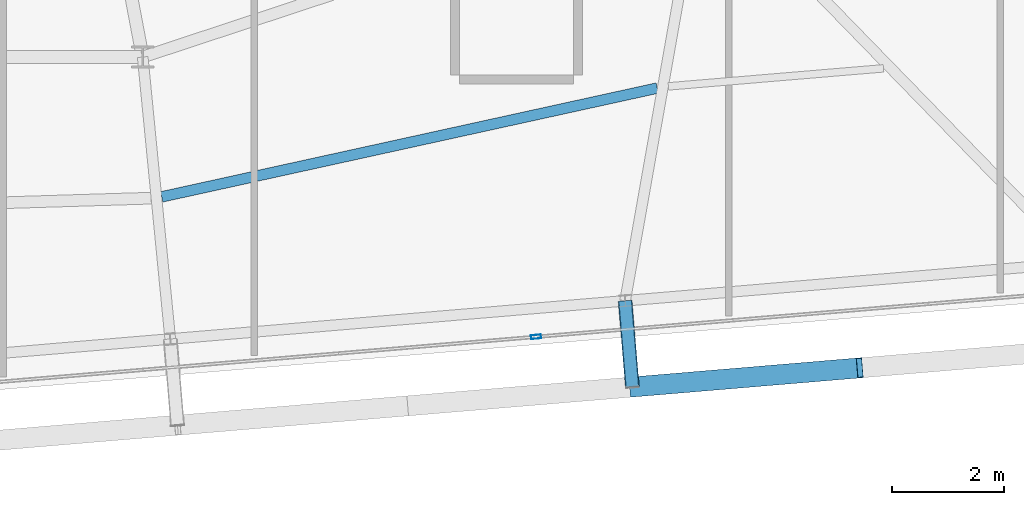
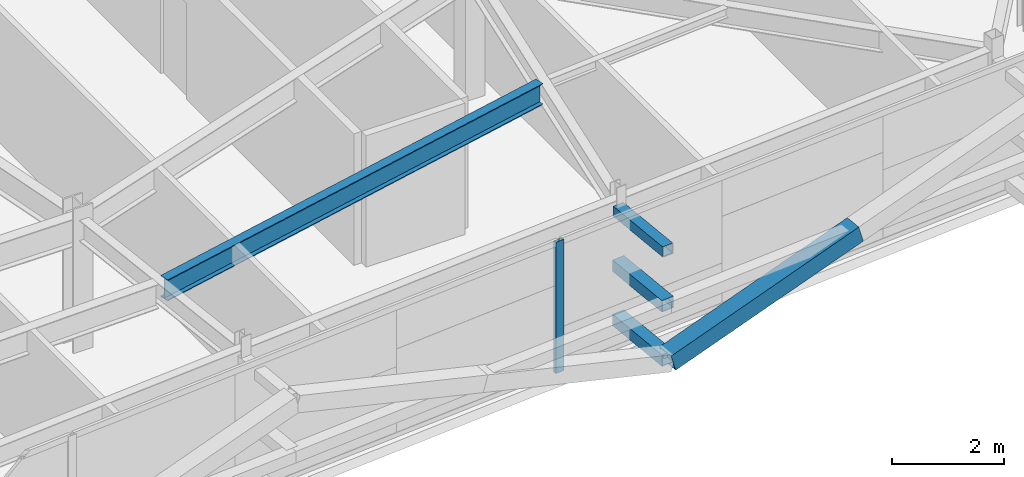
# One storey, part 16 of 39: 5 members, 1 beam, 1 element without a shape of its own.
"""IFC4 building model written with IfcOpenShell, lengths in metres."""

from ifc_helpers import new_model, si_unit, direction, frame, origin, origin_2d, place, context, subcontext, project, spatial, hollow_rectangle, i_section, extrude, source, transform, mapped, material, layer, layer_set, material_profile, profile_set, type_object, element, aggregate, save


model = new_model("IFC4")

# Units and contexts
model_context = context("Model", 3, precision=1e-05, world=origin(), true_north=direction((0.0, 1.0)))
body_context = subcontext(model_context, "Body", "Model", "MODEL_VIEW")
ifc_project = project(units=[si_unit("LENGTHUNIT", "METRE"), si_unit("AREAUNIT", "SQUARE_METRE"), si_unit("VOLUMEUNIT", "CUBIC_METRE"), si_unit("PLANEANGLEUNIT", "RADIAN"), si_unit("MASSUNIT", "GRAM", prefix="KILO")], contexts=[model_context])

# Site, building, storey
site_placement = place(None, origin())
site = spatial("IfcSite", under=ifc_project, at=site_placement, CompositionType="ELEMENT")
building_placement = place(site_placement, origin())
building = spatial("IfcBuilding", under=site, at=building_placement, Name="Taldren Reach Tower", CompositionType="ELEMENT")
storey_placement = place(building_placement, frame((0.0, 0.0, 204.050048828125)))
storey = spatial("IfcBuildingStorey", under=building, at=storey_placement, Name="L62", CompositionType="ELEMENT", Elevation=204.050048828125)

# Members
ifc_material_1 = material(Name="Steel Gr 350 (C350L0)", Category="steel")
ifc_material_profile_1 = material_profile(ifc_material_1, hollow_rectangle(XDim=0.25, YDim=0.25, WallThickness=0.010009765625, at=origin_2d()), Name="250x250x10.0SHS")
ifc_profile_set_1 = profile_set([ifc_material_profile_1], Name="Steel Gr 350 (C350L0)")
member_type_1 = type_object("IfcMemberType", Name="MB-POST250", PredefinedType="POST", material=ifc_profile_set_1)
shared_shape_1 = source(origin(), body_context, "Body", "SweptSolid", [
    extrude(hollow_rectangle(XDim=0.25, YDim=0.25, WallThickness=0.010009765625, at=origin_2d()), origin(), (0.0, 0.0, 1.0), 1.550048828125),
])
for number, where, z_axis, x_axis, name in (
    (1, (50.644775390625, 4.83203125, 0.219970703125), (0.083788408178, -0.996483568683, 0.0), (0.996483568683, 0.083788408178, 0.0), "Exoskeleton base diaphragm tie strut B4-S5 L62"),
    (2, (50.644775390625, 4.83203125, 1.405029296875), (0.083788408178, -0.996483568683, 0.0), (0.996483568683, 0.083788408178, 0.0), "Exoskeleton mid-tier diaphragm tie B4-S5 L62"),
):
    element("IfcMember", number, at=place(storey_placement, frame(where, z_axis=z_axis, x_axis=x_axis)), inside=storey, type_object=member_type_1, Name=name, PredefinedType="POST", context=body_context, shape_type="MappedRepresentation", body=[
        mapped(shared_shape_1, transform((0.0, 0.0, 0.0), scale=1.0)),
    ])

# Beam
ifc_material_2 = material(Name="Steel Gr 350 (350PLUS)", Category="steel")
ifc_material_profile_2 = material_profile(ifc_material_2, i_section(OverallWidth=0.19091796875, OverallDepth=0.4599609375, WebThickness=0.010009765625, FlangeThickness=0.01611328125, at=origin_2d()), Name="460UB82.1")
ifc_profile_set_2 = profile_set([ifc_material_profile_2], Name="Steel Gr 350 (350PLUS)")
beam_type = type_object("IfcBeamType", Name="BM-UB460A", PredefinedType="BEAM", material=ifc_profile_set_2)
shared_shape_2 = source(origin(), body_context, "Body", "SweptSolid", [
    extrude(i_section(OverallWidth=0.19091796875, OverallDepth=0.4599609375, WebThickness=0.010009765625, FlangeThickness=0.01611328125, at=origin_2d()), origin(), (0.0, 0.0, 1.0), 9.09228515625),
])
beam_placement = place(storey_placement, frame((42.3408203125, 6.6943359375, 2.639892578125), z_axis=(0.97674420602, 0.214407919647, 0.0), x_axis=(-0.214407919647, 0.97674420602, 0.0)))
element("IfcBeam", 3, at=beam_placement, inside=storey, type_object=beam_type, Name="Secondary floor beam B4 J4 L62", PredefinedType="BEAM", context=body_context, shape_type="MappedRepresentation", body=[
    mapped(shared_shape_2, transform((0.0, 0.0, 0.0), scale=1.0)),
])

# Members
ifc_material_3 = material(Name="Steel Gr 450 (C450L0)", Category="steel")
ifc_material_profile_3 = material_profile(ifc_material_3, hollow_rectangle(XDim=0.219970703125, YDim=0.219970703125, WallThickness=0.00830078125, at=origin_2d()), Name="220x220x8.2SHS")
ifc_profile_set_3 = profile_set([ifc_material_profile_3], Name="Steel Gr 450 (C450L0)")
member_type_2 = type_object("IfcMemberType", Name="MB-TIE219", PredefinedType="STRUT", material=ifc_profile_set_3)
shared_shape_3 = source(origin(), body_context, "Body", "SweptSolid", [
    extrude(hollow_rectangle(XDim=0.219970703125, YDim=0.219970703125, WallThickness=0.00830078125, at=origin_2d()), origin(), (0.0, 0.0, 1.0), 1.550048828125),
])
member_1_placement = place(storey_placement, frame((50.644775390625, 4.83203125, 2.58984375), z_axis=(0.083788408178, -0.996483568683, 0.0), x_axis=(0.996483568683, 0.083788408178, 0.0)))
element("IfcMember", 4, at=member_1_placement, inside=storey, type_object=member_type_2, Name="Exoskeleton diaphragm tie strut B4-S5 L62", PredefinedType="STRUT", context=body_context, shape_type="MappedRepresentation", body=[
    mapped(shared_shape_3, transform((0.0, 0.0, 0.0), scale=1.0)),
])
ifc_material_profile_4 = material_profile(ifc_material_3, hollow_rectangle(XDim=0.360107421875, YDim=0.360107421875, WallThickness=0.0126953125, at=origin_2d()), Name="360x360x12.7SHS")
ifc_profile_set_4 = profile_set([ifc_material_profile_4], Name="Steel Gr 450 (C450L0)")
member_type_3 = type_object("IfcMemberType", Name="MB-EXO356", PredefinedType="BRACE", material=ifc_profile_set_4)
shared_shape_4 = source(origin(), body_context, "Body", "SweptSolid", [
    extrude(hollow_rectangle(XDim=0.360107421875, YDim=0.360107421875, WallThickness=0.0126953125, at=origin_2d()), origin(), (0.0, 0.0, 1.0), 4.25830078125),
])
member_2_placement = place(storey_placement, frame((50.774658203125, 3.287353515625, 0.219970703125), z_axis=(0.957125719227, 0.080381589694, 0.278296887572), x_axis=(-0.083687662192, 0.996492034688, 0.0)))
element("IfcMember", 5, at=member_2_placement, inside=storey, type_object=member_type_3, Name="Exoskeleton Diagrid Brace B4-S5 L62", PredefinedType="BRACE", context=body_context, shape_type="MappedRepresentation", body=[
    mapped(shared_shape_4, transform((0.0, 0.0, 0.0), scale=1.0)),
])

# Curtain wall, member
ifc_material_4 = material(Name="Aluminium and Low-E Glass Unitised System", Category="aluminium")
ifc_layer = layer(ifc_material_4, 0.159912109375)
ifc_layer_set = layer_set([ifc_layer], Name="Aluminium and Low-E Glass Unitised System")
curtain_wall_type = type_object("IfcCurtainWallType", Name="CW-SYS-5", PredefinedType="NOTDEFINED", material=ifc_layer_set)
curtain_wall_placement = place(storey_placement, origin())
curtain_wall = element("IfcCurtainWall", 6, at=curtain_wall_placement, inside=storey, type_object=curtain_wall_type, Name="Unitised curtain wall CW-L62-S", PredefinedType="NOTDEFINED")
ifc_material_5 = material(Name="Anodised Aluminium 6063-T6", Category="aluminium")
ifc_material_profile_5 = material_profile(ifc_material_5, hollow_rectangle(XDim=0.070068359375, YDim=0.179931640625, WallThickness=0.00390625, at=origin_2d()), Name="ALU-180x70x4RHS")
ifc_profile_set_5 = profile_set([ifc_material_profile_5], Name="Anodised Aluminium 6063-T6")
member_type_4 = type_object("IfcMemberType", Name="CW-MUL-180", PredefinedType="MULLION", material=ifc_profile_set_5)
shared_shape_5 = source(origin(), body_context, "Body", "SweptSolid", [
    extrude(hollow_rectangle(XDim=0.070068359375, YDim=0.179931640625, WallThickness=0.00390625, at=origin_2d()), origin(), (0.0, 0.0, 1.0), 2.869873046875),
])
member_3_placement = place(storey_placement, frame((49.04833984375, 4.18603515625, 0.0), z_axis=(0.0, 0.0, 1.0), x_axis=(-0.083677894865, 0.996492854922, 0.0)))
member_3 = element("IfcMember", 7, at=member_3_placement, type_object=member_type_4, Name="CW-5 mullion 4", PredefinedType="MULLION", context=body_context, shape_type="MappedRepresentation", body=[
    mapped(shared_shape_5, transform((0.0, 0.0, 0.0), scale=1.0)),
])
aggregate(curtain_wall, [member_3])

save(model, "model.ifc")
